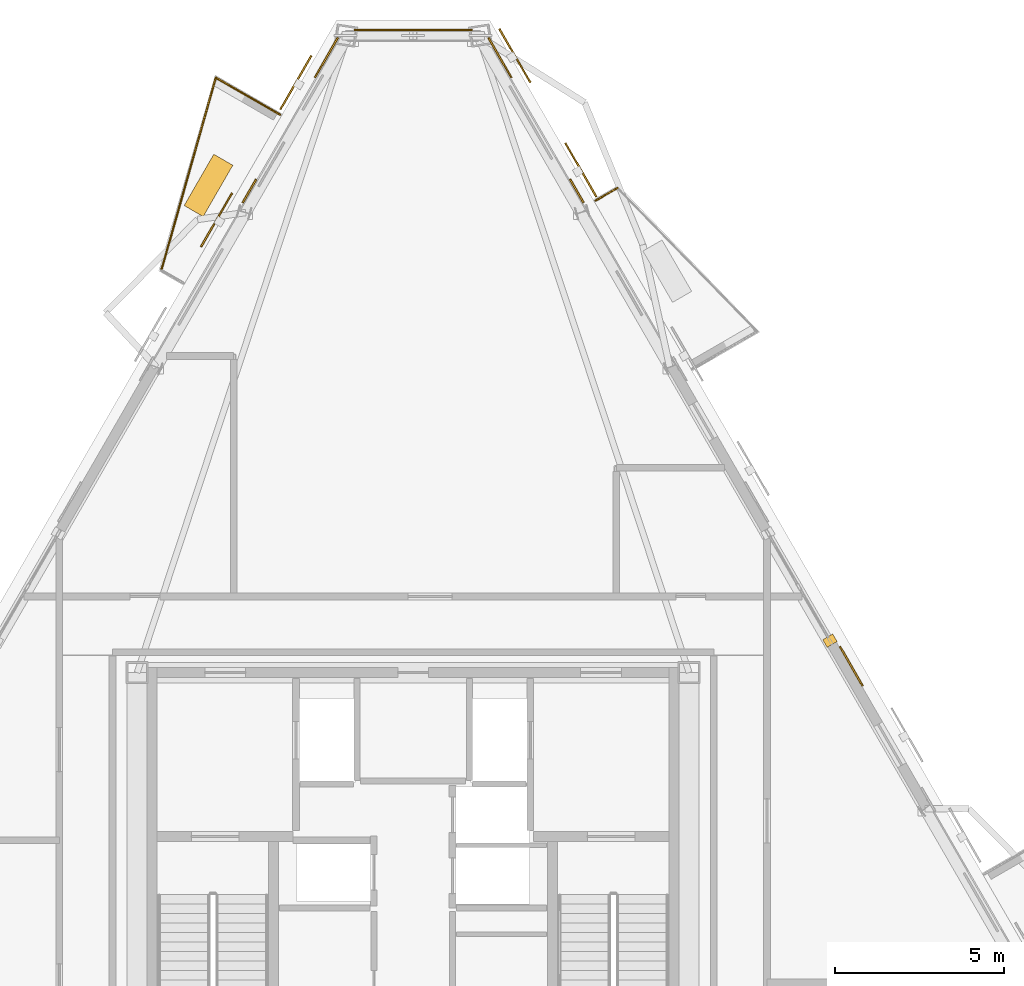
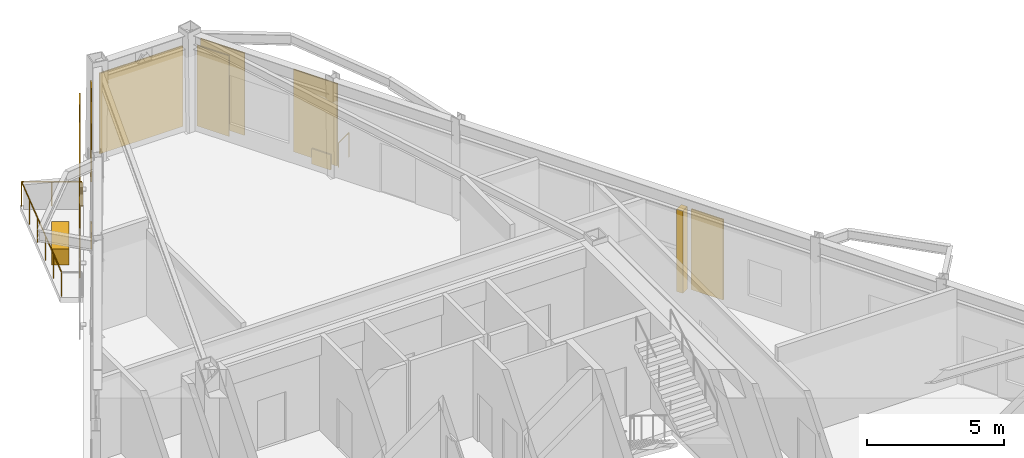
# One storey, part 16 of 16: 8 coverings, 4 shading devices, 3 railings.
"""IFC4 building model written with IfcOpenShell, lengths in metres."""

from ifc_helpers import new_model, si_unit, direction, frame, origin, origin_2d, place, context, subcontext, project, spatial, rectangle, circle, extrude, material, layer, layer_set, type_object, element, save


model = new_model("IFC4")

# Units and contexts
model_context = context("Model", 3, precision=1e-05, world=origin(), true_north=direction((0.0, 1.0)))
body_context = subcontext(model_context, "Body", "Model", "MODEL_VIEW")
ifc_project = project(units=[si_unit("LENGTHUNIT", "METRE"), si_unit("AREAUNIT", "SQUARE_METRE"), si_unit("VOLUMEUNIT", "CUBIC_METRE"), si_unit("PLANEANGLEUNIT", "RADIAN"), si_unit("MASSUNIT", "GRAM", prefix="KILO")], contexts=[model_context])

# Site, building, storey
site_placement = place(None, origin())
site = spatial("IfcSite", under=ifc_project, at=site_placement, CompositionType="ELEMENT")
building_placement = place(site_placement, origin())
building = spatial("IfcBuilding", under=site, at=building_placement, Name="Oramaril Tower", CompositionType="ELEMENT")
storey_placement = place(building_placement, frame((0.0, 0.0, 296.699951171875)))
storey = spatial("IfcBuildingStorey", under=building, at=storey_placement, Name="L78", CompositionType="ELEMENT", Elevation=296.699951171875)

# Coverings
ifc_material_1 = material(Name="Warm Cream Limestone", Category="masonry")
ifc_layer = layer(ifc_material_1, 0.050048828125)
ifc_layer_set = layer_set([ifc_layer], Name="CVT-CLD")
covering_type = type_object("IfcCoveringType", Name="CVT-CLD", PredefinedType="CLADDING", material=ifc_layer_set)
covering_1_placement = place(storey_placement, frame((49.810791015625, 25.094482421875, 0.0), z_axis=(0.0, 0.0, 1.0), x_axis=(-0.5, 0.866025403784, 0.0)))
element("IfcCovering", 1, at=covering_1_placement, inside=storey, type_object=covering_type, Name="L78 Curtain Wall Limestone Jamb Closure", PredefinedType="CLADDING", context=body_context, shape_type="SweptSolid", body=[
    extrude(rectangle(XDim=0.260009765625, YDim=0.340087890625, at=origin_2d()), origin(), (0.0, 0.0, 1.0), 3.657958984375),
])
for number, where, z_axis, x_axis, name in (
    (2, (50.441162109375, 24.33837890625, 0.0400390625), (0.0, 0.0, 1.0), (-0.5, 0.866025403784, 0.0), "L78 Warm Cream Limestone Cladding"),
    (3, (40.0625, 42.314697265625, 0.0400390625), (0.0, 0.0, 1.0), (-0.5, 0.866025403784, 0.0), "L78 Warm Cream Limestone Cladding"),
):
    element("IfcCovering", number, at=place(storey_placement, frame(where, z_axis=z_axis, x_axis=x_axis)), inside=storey, type_object=covering_type, Name=name, PredefinedType="CLADDING", context=body_context, shape_type="SweptSolid", body=[
        extrude(rectangle(XDim=1.35009765625, YDim=0.050048828125, at=origin_2d()), origin(), (0.0, 0.0, 1.0), 3.577880859375),
    ])
covering_2_placement = place(storey_placement, frame((42.334716796875, 38.379150390625, 0.0400390625), z_axis=(0.0, 0.0, 1.0), x_axis=(-0.5, 0.866025403784, 0.0)))
element("IfcCovering", 4, at=covering_2_placement, inside=storey, type_object=covering_type, Name="L78 Warm Cream Limestone Spandrel Cladding", PredefinedType="CLADDING", context=body_context, shape_type="SweptSolid", body=[
    extrude(rectangle(XDim=0.800048828125, YDim=0.050048828125, at=origin_2d()), origin(), (0.0, 0.0, 1.0), 0.679931640625),
])
covering_3_placement = place(storey_placement, frame((37.5, 43.134765625, 0.0400390625), z_axis=(0.0, 0.0, 1.0), x_axis=(-1.0, 0.0, 0.0)))
element("IfcCovering", 5, at=covering_3_placement, inside=storey, type_object=covering_type, Name="L78 Warm Cream Limestone Cladding", PredefinedType="CLADDING", context=body_context, shape_type="SweptSolid", body=[
    extrude(rectangle(XDim=3.484130859375, YDim=0.050048828125, at=origin_2d()), origin(), (0.0, 0.0, 1.0), 3.577880859375),
])
covering_4_placement = place(storey_placement, frame((34.9375, 42.314697265625, 0.0400390625), z_axis=(0.0, 0.0, 1.0), x_axis=(-0.5, -0.866025403784, 0.0)))
element("IfcCovering", 6, at=covering_4_placement, inside=storey, type_object=covering_type, Name="L78 Warm Cream Limestone Cladding", PredefinedType="CLADDING", context=body_context, shape_type="SweptSolid", body=[
    extrude(rectangle(XDim=1.35009765625, YDim=0.050048828125, at=origin_2d()), origin(), (0.0, 0.0, 1.0), 3.577880859375),
])
covering_5_placement = place(storey_placement, frame((32.665283203125, 38.379150390625, 0.0400390625), z_axis=(0.0, 0.0, 1.0), x_axis=(-0.5, -0.866025403784, 0.0)))
element("IfcCovering", 7, at=covering_5_placement, inside=storey, type_object=covering_type, Name="L78 Warm Cream Limestone Spandrel Cladding", PredefinedType="CLADDING", context=body_context, shape_type="SweptSolid", body=[
    extrude(rectangle(XDim=0.800048828125, YDim=0.050048828125, at=origin_2d()), origin(), (0.0, 0.0, 1.0), 0.679931640625),
])
covering_6_placement = place(storey_placement, frame((31.455322265625, 38.54052734375, 0.0), z_axis=(0.0, 0.0, 1.0), x_axis=(-0.5, -0.866025403784, 0.0)))
element("IfcCovering", 8, at=covering_6_placement, inside=storey, type_object=covering_type, Name="L78 Structural Tree Planter Box L78-BAL-NW1", PredefinedType="CLADDING", context=body_context, shape_type="SweptSolid", body=[
    extrude(rectangle(XDim=1.75, YDim=0.64990234375, at=origin_2d()), origin(), (0.0, 0.0, 1.0), 0.699951171875),
])

# Railings
ifc_material_2 = material(Name="Stainless Steel 316L", Category="steel")
railing_type = type_object("IfcRailingType", Name="RLT-GRD", PredefinedType="GUARDRAIL", material=ifc_material_2)
railing_1_placement = place(storey_placement, frame((42.891845703125, 38.094482421875, 0.0)))
element("IfcRailing", 9, at=railing_1_placement, inside=storey, type_object=railing_type, Name="L78 Balcony Guardrail L78-BAL-NE2.1", PredefinedType="GUARDRAIL", context=body_context, shape_type="SweptSolid", body=[
    extrude(circle(Radius=0.02392578125, at=origin_2d()), frame((0.0, 0.0, 1.076171875), z_axis=(0.866026623601, 0.49999788721, 0.0), x_axis=(-0.49999788721, 0.866026623601, 0.0)), (0.0, 0.0, 1.0), 0.74169921875),
    extrude(circle(Radius=0.02099609375, at=origin_2d()), origin(), (0.0, 0.0, 1.0), 1.052001953125),
    extrude(circle(Radius=0.02099609375, at=origin_2d()), frame((0.642333984375, 0.370849609375, 0.0)), (0.0, 0.0, 1.0), 1.052001953125),
])
railing_2_placement = place(storey_placement, frame((30.063232421875, 36.036376953125, 0.0)))
element("IfcRailing", 10, at=railing_2_placement, inside=storey, type_object=railing_type, Name="L78 Balcony Guardrail L78-BAL-NW1.2", PredefinedType="GUARDRAIL", context=body_context, shape_type="SweptSolid", body=[
    extrude(circle(Radius=0.02392578125, at=origin_2d()), frame((0.0, 0.0, 1.076171875), z_axis=(0.272259686627, 0.962223811303, 0.0), x_axis=(-0.962223811303, 0.272259686627, 0.0)), (0.0, 0.0, 1.0), 5.910400390625),
    extrude(circle(Radius=0.02099609375, at=origin_2d()), origin(), (0.0, 0.0, 1.0), 1.052001953125),
    extrude(circle(Radius=0.02099609375, at=origin_2d()), frame((0.32177734375, 1.137451171875, 0.0)), (0.0, 0.0, 1.0), 1.052001953125),
    extrude(circle(Radius=0.02099609375, at=origin_2d()), frame((0.6435546875, 2.27490234375, 0.0)), (0.0, 0.0, 1.0), 1.052001953125),
    extrude(circle(Radius=0.02099609375, at=origin_2d()), frame((0.965576171875, 3.412109375, 0.0)), (0.0, 0.0, 1.0), 1.052001953125),
    extrude(circle(Radius=0.02099609375, at=origin_2d()), frame((1.287353515625, 4.549560546875, 0.0)), (0.0, 0.0, 1.0), 1.052001953125),
    extrude(circle(Radius=0.02099609375, at=origin_2d()), frame((1.609130859375, 5.68701171875, 0.0)), (0.0, 0.0, 1.0), 1.052001953125),
])
railing_3_placement = place(storey_placement, frame((31.67236328125, 41.723388671875, 0.0)))
element("IfcRailing", 11, at=railing_3_placement, inside=storey, type_object=railing_type, Name="L78 Balcony Guardrail L78-BAL-NW1.3", PredefinedType="GUARDRAIL", context=body_context, shape_type="SweptSolid", body=[
    extrude(circle(Radius=0.02392578125, at=origin_2d()), frame((0.0, 0.0, 1.076171875), z_axis=(0.866048343933, -0.499960264392, 0.0), x_axis=(0.499960264392, 0.866048343933, 0.0)), (0.0, 0.0, 1.0), 2.192138671875),
    extrude(circle(Radius=0.02099609375, at=origin_2d()), origin(), (0.0, 0.0, 1.0), 1.052001953125),
    extrude(circle(Radius=0.02099609375, at=origin_2d()), frame((0.94921875, -0.5478515625, 0.0)), (0.0, 0.0, 1.0), 1.052001953125),
    extrude(circle(Radius=0.02099609375, at=origin_2d()), frame((1.8984375, -1.095947265625, 0.0)), (0.0, 0.0, 1.0), 1.052001953125),
])

# Shading devices
for number, where, z_axis, x_axis, name in (
    (12, (42.452392578125, 38.99951171875, -0.02001953125), (0.0, 0.0, 1.0), (-0.500001511499, 0.866024531118, 0.0), "L78 Perforated Ceramic Solar Screen"),
    (13, (40.50244140625, 42.376953125, -0.02001953125), (0.0, 0.0, 1.0), (-0.500001511499, 0.866024531118, 0.0), "L78 Perforated Ceramic Solar Screen"),
    (14, (34.03466796875, 41.5751953125, -0.02001953125), (0.0, 0.0, 1.0), (-0.499996976998, -0.866027149108, 0.0), "L78 Perforated Ceramic Solar Screen"),
    (15, (31.69384765625, 37.520751953125, -0.02001953125), (0.0, 0.0, 1.0), (-0.499996976998, -0.866027149108, 0.0), "L78 Perforated Ceramic Solar Screen"),
):
    element("IfcShadingDevice", number, at=place(storey_placement, frame(where, z_axis=z_axis, x_axis=x_axis)), inside=storey, Name=name, ObjectType="SCREEN", PredefinedType="USERDEFINED", context=body_context, shape_type="SweptSolid", body=[
        extrude(rectangle(XDim=1.8330078125, YDim=0.050048828125, at=origin_2d()), origin(), (0.0, 0.0, 1.0), 3.657958984375),
    ])

save(model, "model.ifc")
